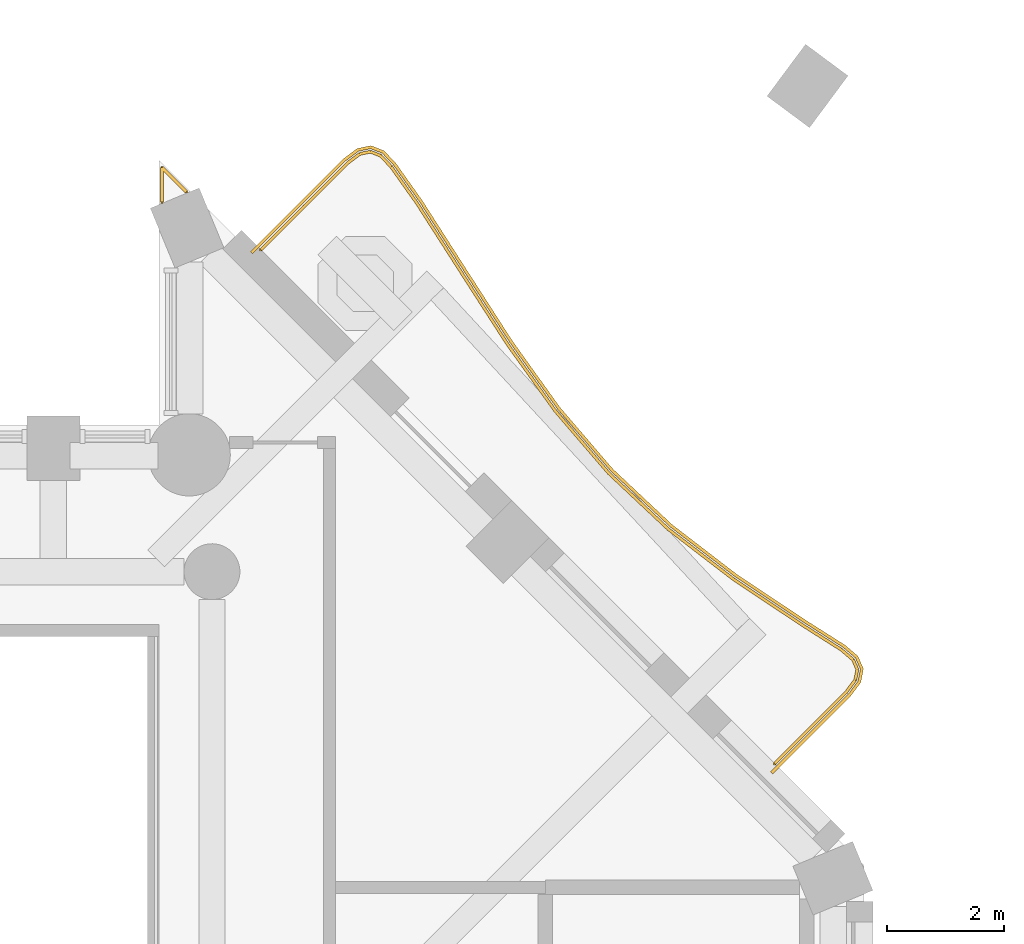
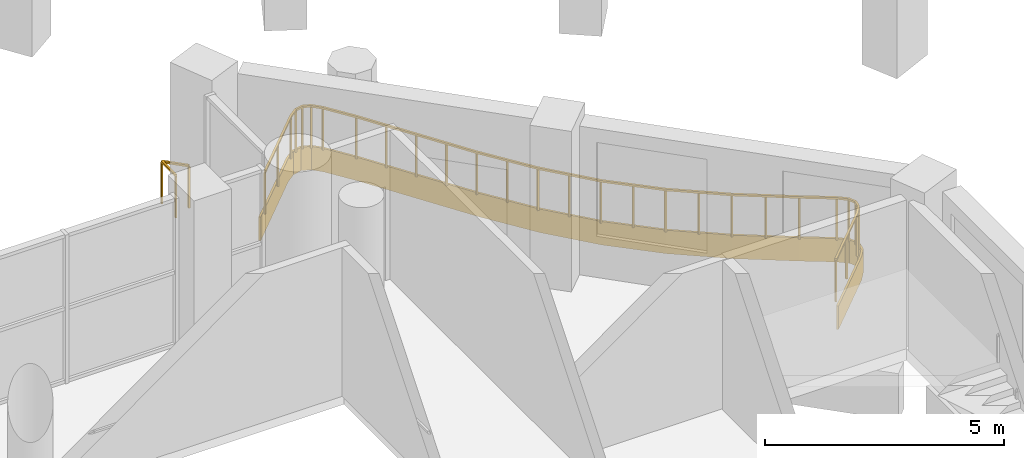
# One storey, part 14 of 15: 2 railings, 1 covering.
"""IFC4 building model written with IfcOpenShell, lengths in metres."""

from ifc_helpers import new_model, si_unit, direction, frame, origin, origin_2d, place, context, subcontext, project, spatial, polyline, rectangle, outline, extrude, material, layer, layer_set, type_object, element, save


model = new_model("IFC4")

# Units and contexts
model_context = context("Model", 3, precision=1e-05, world=origin(), true_north=direction((0.0, 1.0)))
body_context = subcontext(model_context, "Body", "Model", "MODEL_VIEW")
ifc_project = project(units=[si_unit("LENGTHUNIT", "METRE"), si_unit("AREAUNIT", "SQUARE_METRE"), si_unit("VOLUMEUNIT", "CUBIC_METRE"), si_unit("PLANEANGLEUNIT", "RADIAN"), si_unit("MASSUNIT", "GRAM", prefix="KILO")], contexts=[model_context])

# Site, building, storey
site_placement = place(None, origin())
site = spatial("IfcSite", under=ifc_project, at=site_placement, CompositionType="ELEMENT")
building_placement = place(site_placement, origin())
building = spatial("IfcBuilding", under=site, at=building_placement, Name="Cypress Arch Tower", CompositionType="ELEMENT")
storey_placement = place(building_placement, frame((0.0, 0.0, 176.89990234375)))
storey = spatial("IfcBuildingStorey", under=building, at=storey_placement, Name="L38", CompositionType="ELEMENT", Elevation=176.89990234375)

# Covering
ifc_material_1 = material(Name="White powder-coated aluminium fascia", Category="aluminium")
ifc_layer = layer(ifc_material_1, 0.050048828125)
ifc_layer_set = layer_set([ifc_layer], Name="Balcony fascia BF50")
covering_type = type_object("IfcCoveringType", Name="Balcony fascia BF50", PredefinedType="CLADDING", material=ifc_layer_set)
covering_placement = place(storey_placement, frame((0.0, 0.0, -0.599853515625)))
element("IfcCovering", 1, at=covering_placement, inside=storey, type_object=covering_type, Name="Balcony fascia L38-B05", PredefinedType="CLADDING", context=body_context, shape_type="SweptSolid", body=[
    extrude(outline(polyline([(11.242431640625, 17.03125), (11.472900390625, 17.20361328125), (11.70654296875, 17.251708984375), (11.928955078125, 17.164794921875), (12.126953125, 16.956298828125), (12.57666015625, 16.321533203125), (13.34228515625, 15.126220703125), (14.108642578125, 13.934814453125), (14.92431640625, 12.795654296875), (15.82666015625, 11.745361328125), (16.83349609375, 10.7998046875), (17.9384765625, 9.951171875), (19.11328125, 9.16943359375), (19.775634765625, 8.75), (19.9951171875, 8.5625), (20.08984375, 8.34619140625), (20.044677734375, 8.1142578125), (19.871826171875, 7.883056640625), (18.545166015625, 6.556396484375), (18.509765625, 6.591796875), (19.833984375, 7.916015625), (19.997802734375, 8.135009765625), (20.037841796875, 8.34033203125), (19.953857421875, 8.531982421875), (19.745849609375, 8.709716796875), (19.0859375, 9.12744140625), (17.9091796875, 9.910400390625), (16.801025390625, 10.76171875), (15.79052734375, 11.710693359375), (14.885009765625, 12.7646484375), (14.0673828125, 13.90673828125), (13.30029296875, 15.09912109375), (12.53515625, 16.293701171875), (12.08837890625, 16.924560546875), (11.900390625, 17.122314453125), (11.7021484375, 17.19970703125), (11.493896484375, 17.15673828125), (11.275390625, 16.993408203125), (9.691650390625, 15.40966796875), (9.65625, 15.445068359375), (11.242431640625, 17.03125)])), origin(), (0.0, 0.0, 1.0), 0.599853515625),
])

# Railings
ifc_material_2 = material(Name="Powder-coated steel posts and rods, 100 mm clear between rods", Category="steel")
railing_type_1 = type_object("IfcRailingType", Name="Balcony guard GR1100", PredefinedType="GUARDRAIL", material=ifc_material_2)
railing_1_placement = place(storey_placement, frame((9.83251953125, 15.479736328125, 0.0)))
element("IfcRailing", 2, at=railing_1_placement, inside=storey, type_object=railing_type_1, Name="Balcony guard L38-B05", PredefinedType="GUARDRAIL", context=body_context, shape_type="SweptSolid", body=[
    extrude(rectangle(XDim=0.050048828125, YDim=0.050048828125, at=origin_2d()), frame((0.0, 0.0, 1.0751953125), z_axis=(0.707048287016, 0.707165270518, 0.0), x_axis=(-0.707165270518, 0.707048287016, 0.0)), (0.0, 0.0, 1.0), 2.0869140625),
    extrude(rectangle(XDim=0.050048828125, YDim=0.050048828125, at=origin_2d()), frame((1.4755859375, 1.475830078125, 1.0751953125), z_axis=(0.801020212588, 0.598637301733, 0.0), x_axis=(-0.598637301733, 0.801020212588, 0.0)), (0.0, 0.0, 1.0), 0.258056640625),
    extrude(rectangle(XDim=0.050048828125, YDim=0.050048828125, at=origin_2d()), frame((1.682373046875, 1.63037109375, 1.0751953125), z_axis=(0.979251473888, 0.202648836385, 0.0), x_axis=(-0.202648836385, 0.979251473888, 0.0)), (0.0, 0.0, 1.0), 0.186767578125),
    extrude(rectangle(XDim=0.050048828125, YDim=0.050048828125, at=origin_2d()), frame((1.865234375, 1.668212890625, 1.0751953125), z_axis=(0.931242779706, -0.364399348581, 0.0), x_axis=(0.364399348581, 0.931242779706, 0.0)), (0.0, 0.0, 1.0), 0.18701171875),
    extrude(rectangle(XDim=0.050048828125, YDim=0.050048828125, at=origin_2d()), frame((2.039306640625, 1.60009765625, 1.0751953125), z_axis=(0.688426310031, -0.725306290926, 0.0), x_axis=(0.725306290926, 0.688426310031, 0.0)), (0.0, 0.0, 1.0), 0.258056640625),
    extrude(rectangle(XDim=0.050048828125, YDim=0.050048828125, at=origin_2d()), frame((2.217041015625, 1.412841796875, 1.0751953125), z_axis=(0.57801734078, -0.816024481102, 0.0), x_axis=(0.816024481102, 0.57801734078, 0.0)), (0.0, 0.0, 1.0), 0.768310546875),
    extrude(rectangle(XDim=0.050048828125, YDim=0.050048828125, at=origin_2d()), frame((2.6611328125, 0.785888671875, 1.0751953125), z_axis=(0.53950332105, -0.841983471676, 0.0), x_axis=(0.841983471676, 0.53950332105, 0.0)), (0.0, 0.0, 1.0), 1.417236328125),
    extrude(rectangle(XDim=0.050048828125, YDim=0.050048828125, at=origin_2d()), frame((3.42578125, -0.407470703125, 1.0751953125), z_axis=(0.540888010864, -0.841094619947, 0.0), x_axis=(0.841094619947, 0.540888010864, 0.0)), (0.0, 0.0, 1.0), 1.419189453125),
    extrude(rectangle(XDim=0.050048828125, YDim=0.050048828125, at=origin_2d()), frame((4.193359375, -1.60107421875, 1.0751953125), z_axis=(0.582238252326, -0.813018214758, 0.0), x_axis=(0.813018214758, 0.582238252326, 0.0)), (0.0, 0.0, 1.0), 1.407958984375),
    extrude(rectangle(XDim=0.050048828125, YDim=0.050048828125, at=origin_2d()), frame((5.01318359375, -2.745849609375, 1.0751953125), z_axis=(0.651598372087, -0.758564144614, 0.0), x_axis=(0.758564144614, 0.651598372087, 0.0)), (0.0, 0.0, 1.0), 1.39453125),
    extrude(rectangle(XDim=0.050048828125, YDim=0.050048828125, at=origin_2d()), frame((5.921875, -3.8037109375, 1.0751953125), z_axis=(0.728869298371, -0.684652865248, 0.0), x_axis=(0.684652865248, 0.728869298371, 0.0)), (0.0, 0.0, 1.0), 1.391357421875),
    extrude(rectangle(XDim=0.050048828125, YDim=0.050048828125, at=origin_2d()), frame((6.93603515625, -4.75634765625, 1.0751953125), z_axis=(0.793070574055, -0.609129760042, 0.0), x_axis=(0.609129760042, 0.793070574055, 0.0)), (0.0, 0.0, 1.0), 1.401611328125),
    extrude(rectangle(XDim=0.050048828125, YDim=0.050048828125, at=origin_2d()), frame((8.047607421875, -5.610107421875, 1.0751953125), z_axis=(0.832580523901, -0.553904027085, 0.0), x_axis=(0.553904027085, 0.832580523901, 0.0)), (0.0, 0.0, 1.0), 1.415771484375),
    extrude(rectangle(XDim=0.050048828125, YDim=0.050048828125, at=origin_2d()), frame((9.226318359375, -6.394287109375, 1.0751953125), z_axis=(0.844951469581, -0.534842980745, 0.0), x_axis=(0.534842980745, 0.844951469581, 0.0)), (0.0, 0.0, 1.0), 0.77783203125),
    extrude(rectangle(XDim=0.050048828125, YDim=0.050048828125, at=origin_2d()), frame((9.883544921875, -6.810302734375, 1.0751953125), z_axis=(0.759722733421, -0.650247159412, 0.0), x_axis=(0.650247159412, 0.759722733421, 0.0)), (0.0, 0.0, 1.0), 0.2587890625),
    extrude(rectangle(XDim=0.050048828125, YDim=0.050048828125, at=origin_2d()), frame((10.080078125, -6.978515625, 1.0751953125), z_axis=(0.402154527726, -0.915571808123, 0.0), x_axis=(0.915571808123, 0.402154527726, 0.0)), (0.0, 0.0, 1.0), 0.18212890625),
    extrude(rectangle(XDim=0.050048828125, YDim=0.050048828125, at=origin_2d()), frame((10.1533203125, -7.145263671875, 1.0751953125), z_axis=(-0.191730871789, -0.981447539506, 0.0), x_axis=(0.981447539506, -0.191730871789, 0.0)), (0.0, 0.0, 1.0), 0.18212890625),
    extrude(rectangle(XDim=0.050048828125, YDim=0.050048828125, at=origin_2d()), frame((10.118408203125, -7.323974609375, 1.0751953125), z_axis=(-0.59879040056, -0.800905772358, 0.0), x_axis=(0.800905772358, -0.59879040056, 0.0)), (0.0, 0.0, 1.0), 0.258544921875),
    extrude(rectangle(XDim=0.050048828125, YDim=0.050048828125, at=origin_2d()), frame((9.963623046875, -7.531005859375, 1.0751953125), z_axis=(-0.707106781187, -0.707106781187, 0.0), x_axis=(0.707106781187, -0.707106781187, 0.0)), (0.0, 0.0, 1.0), 1.72021484375),
    extrude(rectangle(XDim=0.0400390625, YDim=0.0400390625, at=origin_2d()), origin(), (0.0, 0.0, 1.0), 1.050048828125),
    extrude(rectangle(XDim=0.0400390625, YDim=0.0400390625, at=origin_2d()), frame((0.73779296875, 0.73779296875, 0.0)), (0.0, 0.0, 1.0), 1.050048828125),
    extrude(rectangle(XDim=0.0400390625, YDim=0.0400390625, at=origin_2d()), frame((1.4755859375, 1.475830078125, 0.0)), (0.0, 0.0, 1.0), 1.050048828125),
    extrude(rectangle(XDim=0.0400390625, YDim=0.0400390625, at=origin_2d()), frame((1.682373046875, 1.63037109375, 0.0)), (0.0, 0.0, 1.0), 1.050048828125),
    extrude(rectangle(XDim=0.0400390625, YDim=0.0400390625, at=origin_2d()), frame((1.865234375, 1.668212890625, 0.0)), (0.0, 0.0, 1.0), 1.050048828125),
    extrude(rectangle(XDim=0.0400390625, YDim=0.0400390625, at=origin_2d()), frame((2.039306640625, 1.60009765625, 0.0)), (0.0, 0.0, 1.0), 1.050048828125),
    extrude(rectangle(XDim=0.0400390625, YDim=0.0400390625, at=origin_2d()), frame((2.217041015625, 1.412841796875, 0.0)), (0.0, 0.0, 1.0), 1.050048828125),
    extrude(rectangle(XDim=0.0400390625, YDim=0.0400390625, at=origin_2d()), frame((2.6611328125, 0.785888671875, 0.0)), (0.0, 0.0, 1.0), 1.050048828125),
    extrude(rectangle(XDim=0.0400390625, YDim=0.0400390625, at=origin_2d()), frame((3.04345703125, 0.189208984375, 0.0)), (0.0, 0.0, 1.0), 1.050048828125),
    extrude(rectangle(XDim=0.0400390625, YDim=0.0400390625, at=origin_2d()), frame((3.42578125, -0.407470703125, 0.0)), (0.0, 0.0, 1.0), 1.050048828125),
    extrude(rectangle(XDim=0.0400390625, YDim=0.0400390625, at=origin_2d()), frame((3.8095703125, -1.00439453125, 0.0)), (0.0, 0.0, 1.0), 1.050048828125),
    extrude(rectangle(XDim=0.0400390625, YDim=0.0400390625, at=origin_2d()), frame((4.193359375, -1.60107421875, 0.0)), (0.0, 0.0, 1.0), 1.050048828125),
    extrude(rectangle(XDim=0.0400390625, YDim=0.0400390625, at=origin_2d()), frame((4.603271484375, -2.17333984375, 0.0)), (0.0, 0.0, 1.0), 1.050048828125),
    extrude(rectangle(XDim=0.0400390625, YDim=0.0400390625, at=origin_2d()), frame((5.01318359375, -2.745849609375, 0.0)), (0.0, 0.0, 1.0), 1.050048828125),
    extrude(rectangle(XDim=0.0400390625, YDim=0.0400390625, at=origin_2d()), frame((5.467529296875, -3.27490234375, 0.0)), (0.0, 0.0, 1.0), 1.050048828125),
    extrude(rectangle(XDim=0.0400390625, YDim=0.0400390625, at=origin_2d()), frame((5.921875, -3.8037109375, 0.0)), (0.0, 0.0, 1.0), 1.050048828125),
    extrude(rectangle(XDim=0.0400390625, YDim=0.0400390625, at=origin_2d()), frame((6.428955078125, -4.280029296875, 0.0)), (0.0, 0.0, 1.0), 1.050048828125),
    extrude(rectangle(XDim=0.0400390625, YDim=0.0400390625, at=origin_2d()), frame((6.93603515625, -4.75634765625, 0.0)), (0.0, 0.0, 1.0), 1.050048828125),
    extrude(rectangle(XDim=0.0400390625, YDim=0.0400390625, at=origin_2d()), frame((7.49169921875, -5.18310546875, 0.0)), (0.0, 0.0, 1.0), 1.050048828125),
    extrude(rectangle(XDim=0.0400390625, YDim=0.0400390625, at=origin_2d()), frame((8.047607421875, -5.610107421875, 0.0)), (0.0, 0.0, 1.0), 1.050048828125),
    extrude(rectangle(XDim=0.0400390625, YDim=0.0400390625, at=origin_2d()), frame((8.636962890625, -6.002197265625, 0.0)), (0.0, 0.0, 1.0), 1.050048828125),
    extrude(rectangle(XDim=0.0400390625, YDim=0.0400390625, at=origin_2d()), frame((9.226318359375, -6.394287109375, 0.0)), (0.0, 0.0, 1.0), 1.050048828125),
    extrude(rectangle(XDim=0.0400390625, YDim=0.0400390625, at=origin_2d()), frame((9.883544921875, -6.810302734375, 0.0)), (0.0, 0.0, 1.0), 1.050048828125),
    extrude(rectangle(XDim=0.0400390625, YDim=0.0400390625, at=origin_2d()), frame((10.080078125, -6.978515625, 0.0)), (0.0, 0.0, 1.0), 1.050048828125),
    extrude(rectangle(XDim=0.0400390625, YDim=0.0400390625, at=origin_2d()), frame((10.1533203125, -7.145263671875, 0.0)), (0.0, 0.0, 1.0), 1.050048828125),
    extrude(rectangle(XDim=0.0400390625, YDim=0.0400390625, at=origin_2d()), frame((10.118408203125, -7.323974609375, 0.0)), (0.0, 0.0, 1.0), 1.050048828125),
    extrude(rectangle(XDim=0.0400390625, YDim=0.0400390625, at=origin_2d()), frame((9.963623046875, -7.531005859375, 0.0)), (0.0, 0.0, 1.0), 1.050048828125),
    extrude(rectangle(XDim=0.0400390625, YDim=0.0400390625, at=origin_2d()), frame((9.35546875, -8.13916015625, 0.0)), (0.0, 0.0, 1.0), 1.050048828125),
    extrude(rectangle(XDim=0.0400390625, YDim=0.0400390625, at=origin_2d()), frame((8.747314453125, -8.747314453125, 0.0)), (0.0, 0.0, 1.0), 1.050048828125),
])
ifc_material_3 = material(Name="Powder-coated steel posts and rods, 100 mm clear between rods", Category="steel")
railing_type_2 = type_object("IfcRailingType", Name="Corner guard GR1100C", PredefinedType="GUARDRAIL", material=ifc_material_3)
railing_2_placement = place(storey_placement, frame((8.14990234375, 16.290771484375, 0.0)))
element("IfcRailing", 3, at=railing_2_placement, inside=storey, type_object=railing_type_2, Name="Corner guard L38 7", PredefinedType="GUARDRAIL", context=body_context, shape_type="SweptSolid", body=[
    extrude(rectangle(XDim=0.050048828125, YDim=0.050048828125, at=origin_2d()), frame((0.0, 0.0, 1.0751953125), z_axis=(0.0, 1.0, 0.0), x_axis=(-1.0, 0.0, 0.0)), (0.0, 0.0, 1.0), 0.588623046875),
    extrude(rectangle(XDim=0.050048828125, YDim=0.050048828125, at=origin_2d()), frame((0.0, 0.588623046875, 1.0751953125), z_axis=(0.707106781187, -0.707106781187, 0.0), x_axis=(0.707106781187, 0.707106781187, 0.0)), (0.0, 0.0, 1.0), 0.588623046875),
    extrude(rectangle(XDim=0.0400390625, YDim=0.0400390625, at=origin_2d()), origin(), (0.0, 0.0, 1.0), 1.050048828125),
    extrude(rectangle(XDim=0.0400390625, YDim=0.0400390625, at=origin_2d()), frame((0.0, 0.588623046875, 0.0)), (0.0, 0.0, 1.0), 1.050048828125),
    extrude(rectangle(XDim=0.0400390625, YDim=0.0400390625, at=origin_2d()), frame((0.416259765625, 0.17236328125, 0.0)), (0.0, 0.0, 1.0), 1.050048828125),
])

save(model, "model.ifc")
